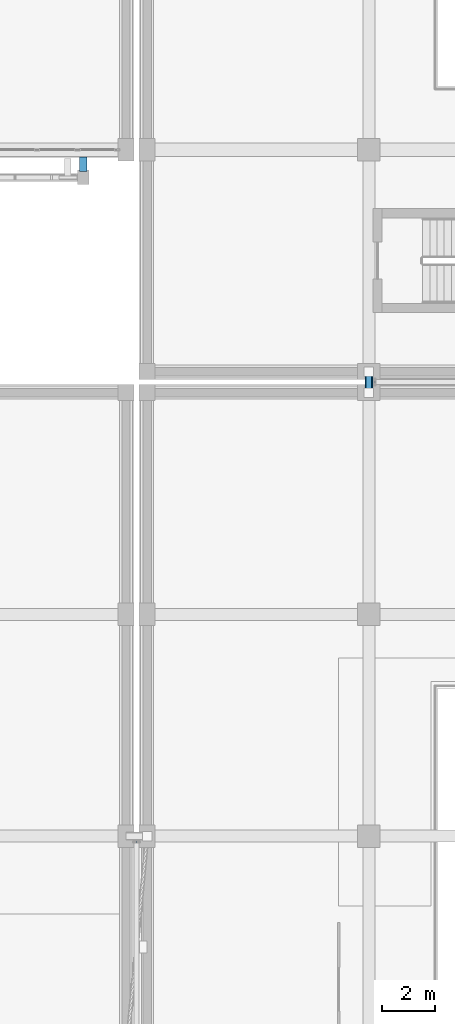
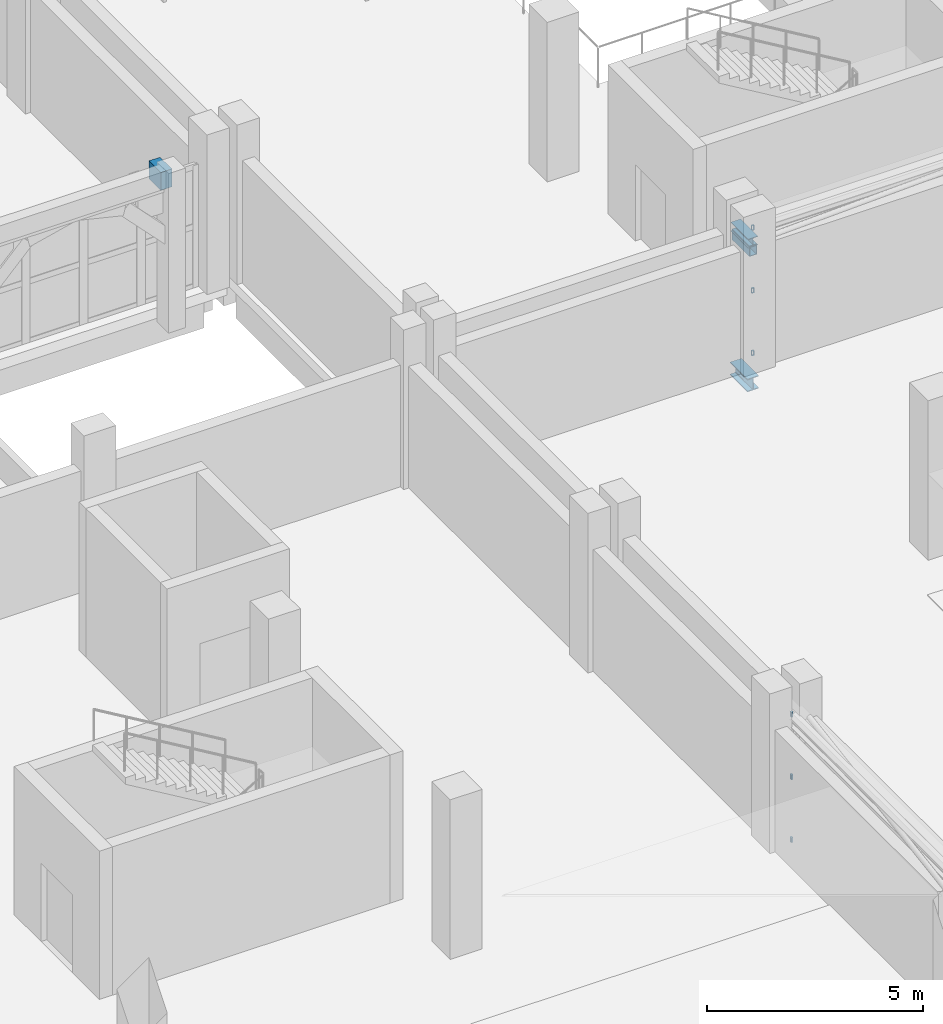
# One storey, part 80 of 137: 7 members, 3 beams, 2 elements without a shape of their own.
"""IFC4 building model written with IfcOpenShell, lengths in metres."""

from ifc_helpers import new_model, si_unit, direction, frame, origin, origin_2d, place, context, subcontext, project, spatial, rectangle, hollow_rectangle, i_section, extrude, material, layer, layer_set, material_profile, profile_set, type_object, element, aggregate, save


model = new_model("IFC4")

# Units and contexts
model_context = context("Model", 3, precision=1e-05, world=origin(), true_north=direction((0.0, 1.0)))
body_context = subcontext(model_context, "Body", "Model", "MODEL_VIEW")
ifc_project = project(units=[si_unit("LENGTHUNIT", "METRE"), si_unit("AREAUNIT", "SQUARE_METRE"), si_unit("VOLUMEUNIT", "CUBIC_METRE"), si_unit("PLANEANGLEUNIT", "RADIAN"), si_unit("MASSUNIT", "GRAM", prefix="KILO")], contexts=[model_context])

# Site, building, storey
site_placement = place(None, origin())
site = spatial("IfcSite", under=ifc_project, at=site_placement, CompositionType="ELEMENT")
building_placement = place(site_placement, origin())
building = spatial("IfcBuilding", under=site, at=building_placement, Name="Xazarin Passage Department Store", CompositionType="ELEMENT")
storey_placement = place(building_placement, frame((0.0, 0.0, 5.39990234375)))
storey = spatial("IfcBuildingStorey", under=building, at=storey_placement, Name="L01", CompositionType="ELEMENT", Elevation=5.39990234375)

# Curtain wall, members
ifc_material_1 = material(Name="Bronze anodised aluminium", Category="aluminium")
ifc_layer = layer(ifc_material_1, 0.14990234375)
ifc_layer_set = layer_set([ifc_layer], Name="Bronze anodised aluminium")
curtain_wall_type = type_object("IfcCurtainWallType", Name="ARC-CW-BRG1", PredefinedType="NOTDEFINED", material=ifc_layer_set)
curtain_wall_1_placement = place(storey_placement, origin())
curtain_wall_1 = element("IfcCurtainWall", 1, at=curtain_wall_1_placement, inside=storey, type_object=curtain_wall_type, Name="L01 BR-V2S-V3 Bridge Curtain Wall 2", PredefinedType="NOTDEFINED")
ifc_material_profile_1 = material_profile(ifc_material_1, hollow_rectangle(XDim=0.06494140625, YDim=0.139892578125, WallThickness=0.00390625, at=origin_2d()), Name="ALU 65x140")
ifc_profile_set_1 = profile_set([ifc_material_profile_1], Name="Bronze anodised aluminium")
member_type_1 = type_object("IfcMemberType", Name="ARC-CWT-65x140", PredefinedType="USERDEFINED", material=ifc_profile_set_1)
member_1_placement = place(storey_placement, frame((67.574951171875, 33.3798828125, 0.03271484375), z_axis=(1.0, 0.0, 0.0), x_axis=(0.0, 1.0, 0.0)))
member_1 = element("IfcMember", 2, at=member_1_placement, type_object=member_type_1, Name="CW7 transom 1.1", ObjectType="TRANSOM", PredefinedType="USERDEFINED", context=body_context, shape_type="SweptSolid", body=[
    extrude(hollow_rectangle(XDim=0.06494140625, YDim=0.139892578125, WallThickness=0.00390625, at=origin_2d()), origin(), (0.0, 0.0, 1.0), 0.050048828125),
])
member_2_placement = place(storey_placement, frame((67.574951171875, 33.3798828125, 1.800048828125), z_axis=(1.0, 0.0, 0.0), x_axis=(0.0, 1.0, 0.0)))
member_2 = element("IfcMember", 3, at=member_2_placement, type_object=member_type_1, Name="CW7 transom 1.2", ObjectType="TRANSOM", PredefinedType="USERDEFINED", context=body_context, shape_type="SweptSolid", body=[
    extrude(hollow_rectangle(XDim=0.06494140625, YDim=0.139892578125, WallThickness=0.00390625, at=origin_2d()), origin(), (0.0, 0.0, 1.0), 0.050048828125),
])
member_3_placement = place(storey_placement, frame((67.574951171875, 33.3798828125, 3.567626953125), z_axis=(1.0, 0.0, 0.0), x_axis=(0.0, 1.0, 0.0)))
member_3 = element("IfcMember", 4, at=member_3_placement, type_object=member_type_1, Name="CW7 transom 1.3", ObjectType="TRANSOM", PredefinedType="USERDEFINED", context=body_context, shape_type="SweptSolid", body=[
    extrude(hollow_rectangle(XDim=0.06494140625, YDim=0.139892578125, WallThickness=0.00390625, at=origin_2d()), origin(), (0.0, 0.0, 1.0), 0.050048828125),
])
aggregate(curtain_wall_1, [member_1, member_2, member_3])

curtain_wall_2_placement = place(storey_placement, origin())
curtain_wall_2 = element("IfcCurtainWall", 5, at=curtain_wall_2_placement, inside=storey, type_object=curtain_wall_type, Name="L01 BR-V2S-V2N Bridge Curtain Wall 1", PredefinedType="NOTDEFINED")
member_4_placement = place(storey_placement, frame((76.6201171875, 50.77490234375, 0.03271484375), z_axis=(0.0, 1.0, 0.0), x_axis=(-1.0, 0.0, 0.0)))
member_4 = element("IfcMember", 6, at=member_4_placement, type_object=member_type_1, Name="CW7 transom 1.1", ObjectType="TRANSOM", PredefinedType="USERDEFINED", context=body_context, shape_type="SweptSolid", body=[
    extrude(hollow_rectangle(XDim=0.06494140625, YDim=0.139892578125, WallThickness=0.00390625, at=origin_2d()), origin(), (0.0, 0.0, 1.0), 0.050048828125),
])
member_5_placement = place(storey_placement, frame((76.6201171875, 50.77490234375, 1.800048828125), z_axis=(0.0, 1.0, 0.0), x_axis=(-1.0, 0.0, 0.0)))
member_5 = element("IfcMember", 7, at=member_5_placement, type_object=member_type_1, Name="CW7 transom 1.2", ObjectType="TRANSOM", PredefinedType="USERDEFINED", context=body_context, shape_type="SweptSolid", body=[
    extrude(hollow_rectangle(XDim=0.06494140625, YDim=0.139892578125, WallThickness=0.00390625, at=origin_2d()), origin(), (0.0, 0.0, 1.0), 0.050048828125),
])
member_6_placement = place(storey_placement, frame((76.6201171875, 50.77490234375, 3.567626953125), z_axis=(0.0, 1.0, 0.0), x_axis=(-1.0, 0.0, 0.0)))
member_6 = element("IfcMember", 8, at=member_6_placement, type_object=member_type_1, Name="CW7 transom 1.3", ObjectType="TRANSOM", PredefinedType="USERDEFINED", context=body_context, shape_type="SweptSolid", body=[
    extrude(hollow_rectangle(XDim=0.06494140625, YDim=0.139892578125, WallThickness=0.00390625, at=origin_2d()), origin(), (0.0, 0.0, 1.0), 0.050048828125),
])
aggregate(curtain_wall_2, [member_4, member_5, member_6])

# Beams
ifc_material_2 = material(Name="Steel S355", Category="steel")
ifc_material_profile_2 = material_profile(ifc_material_2, i_section(OverallWidth=0.300048828125, OverallDepth=0.360107421875, WebThickness=0.012451171875, FlangeThickness=0.0224609375, FilletRadius=0.027099609375, at=origin_2d()), Name="HEB 360")
ifc_profile_set_2 = profile_set([ifc_material_profile_2], Name="Steel S355")
beam_type_1 = type_object("IfcBeamType", Name="STR-BM-BR360", PredefinedType="BEAM", material=ifc_profile_set_2)
beam_1_placement = place(storey_placement, frame((76.39990234375, 50.39990234375, -0.52001953125), z_axis=(0.0, 1.0, 0.0), x_axis=(-1.0, 0.0, 0.0)))
element("IfcBeam", 9, at=beam_1_placement, inside=storey, type_object=beam_type_1, Name="L01 BR-V2S-V2N Bridge Girder A", PredefinedType="BEAM", context=body_context, shape_type="SweptSolid", body=[
    extrude(i_section(OverallWidth=0.300048828125, OverallDepth=0.360107421875, WebThickness=0.012451171875, FlangeThickness=0.0224609375, FilletRadius=0.027099609375, at=origin_2d()), origin(), (0.0, 0.0, 1.0), 0.800048828125),
])
ifc_material_profile_3 = material_profile(ifc_material_2, i_section(OverallWidth=0.260009765625, OverallDepth=0.25, WebThickness=0.007568359375, FlangeThickness=0.012451171875, FilletRadius=0.02392578125, at=origin_2d()), Name="HEA 260")
ifc_profile_set_3 = profile_set([ifc_material_profile_3], Name="Steel S355")
beam_type_2 = type_object("IfcBeamType", Name="STR-BM-CAN260", PredefinedType="BEAM", material=ifc_profile_set_3)
beam_2_placement = place(storey_placement, frame((76.39990234375, 50.39990234375, 3.47509765625), z_axis=(0.0, 1.0, 0.0), x_axis=(-1.0, 0.0, 0.0)))
element("IfcBeam", 10, at=beam_2_placement, inside=storey, type_object=beam_type_2, Name="L01 BR-V2S-V2N Bridge Roof Beam A", PredefinedType="BEAM", context=body_context, shape_type="SweptSolid", body=[
    extrude(i_section(OverallWidth=0.260009765625, OverallDepth=0.25, WebThickness=0.007568359375, FlangeThickness=0.012451171875, FilletRadius=0.02392578125, at=origin_2d()), origin(), (0.0, 0.0, 1.0), 0.800048828125),
])
ifc_material_3 = material(Name="Concrete C35/45", Category="concrete")
ifc_material_profile_4 = material_profile(ifc_material_3, rectangle(XDim=0.300048828125, YDim=0.5, at=origin_2d()), Name="RC 300x500")
ifc_profile_set_4 = profile_set([ifc_material_profile_4], Name="Concrete C35/45")
beam_type_3 = type_object("IfcBeamType", Name="STR-BM-LN300x500", PredefinedType="LINTEL", material=ifc_profile_set_4)
beam_3_placement = place(storey_placement, frame((65.580078125, 59.320068359375, 3.9501953125), z_axis=(0.0, -1.0, 0.0), x_axis=(1.0, 0.0, 0.0)))
element("IfcBeam", 11, at=beam_3_placement, inside=storey, type_object=beam_type_3, Name="L01 V1 Colonnade Tie Rib 006R", PredefinedType="LINTEL", context=body_context, shape_type="SweptSolid", body=[
    extrude(rectangle(XDim=0.300048828125, YDim=0.5, at=origin_2d()), origin(), (0.0, 0.0, 1.0), 0.550048828125),
])

# Member
ifc_material_profile_5 = material_profile(ifc_material_2, hollow_rectangle(XDim=0.199951171875, YDim=0.300048828125, WallThickness=0.012451171875, at=origin_2d()), Name="RHS 300x200x12.5")
ifc_profile_set_5 = profile_set([ifc_material_profile_5], Name="Steel S355")
member_type_2 = type_object("IfcMemberType", Name="STR-MEM-CH300", PredefinedType="CHORD", material=ifc_profile_set_5)
member_7_placement = place(storey_placement, frame((76.39990234375, 50.39990234375, 3.25), z_axis=(0.0, 1.0, 0.0), x_axis=(-1.0, 0.0, 0.0)))
element("IfcMember", 12, at=member_7_placement, inside=storey, type_object=member_type_2, Name="L01 BR-V2S-V2N Bridge Chord A", PredefinedType="CHORD", context=body_context, shape_type="SweptSolid", body=[
    extrude(hollow_rectangle(XDim=0.199951171875, YDim=0.300048828125, WallThickness=0.012451171875, at=origin_2d()), origin(), (0.0, 0.0, 1.0), 0.800048828125),
])

save(model, "model.ifc")
